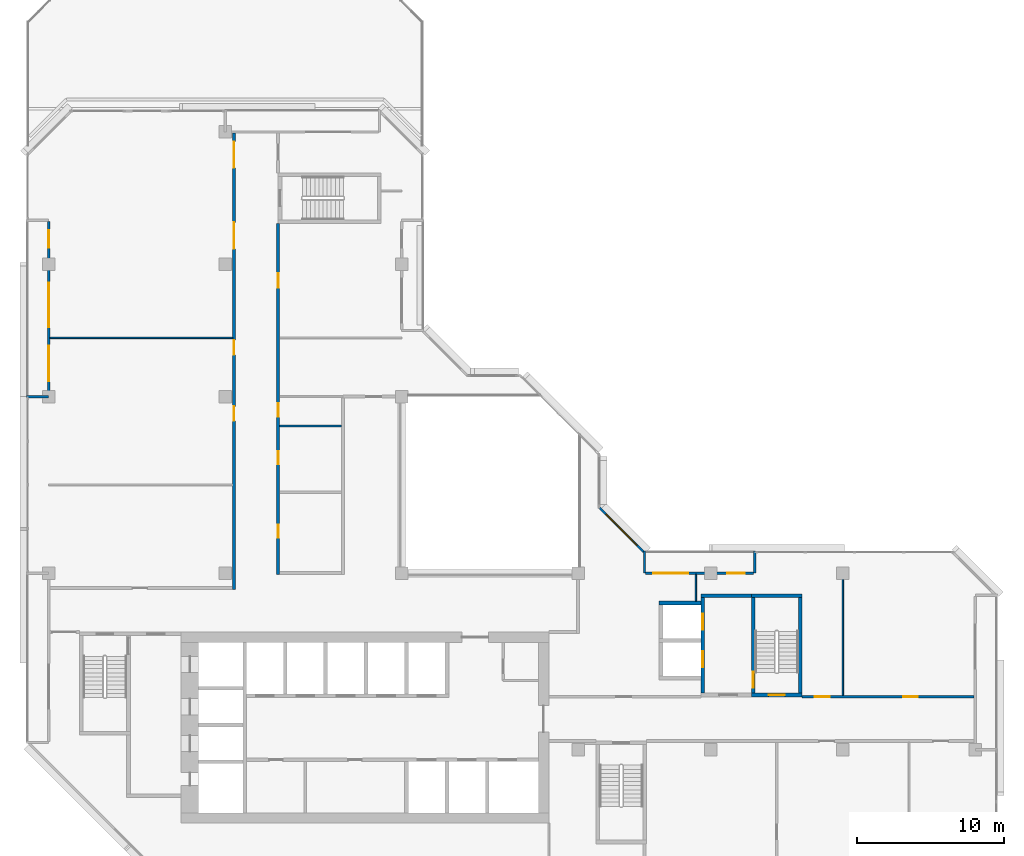
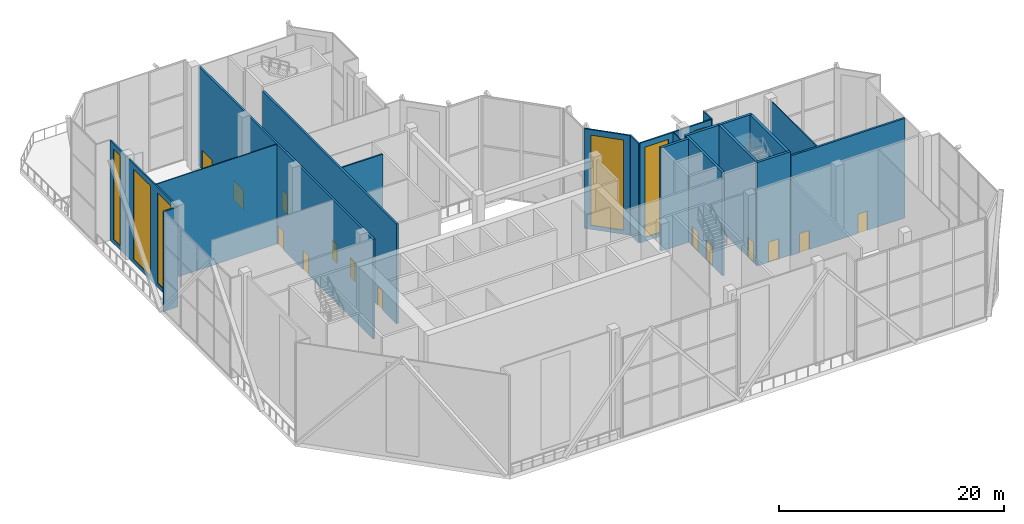
# One storey, part 12 of 18: 20 walls, 14 doors, 6 windows, 20 openings.
"""IFC4 building model written with IfcOpenShell, lengths in metres."""

from ifc_helpers import new_model, si_unit, direction, frame, frame_2d, origin, place, context, subcontext, project, spatial, rectangle, extrude, material, layer, layer_set, type_object, element, fill, save


model = new_model("IFC4")

# Units and contexts
model_context = context("Model", 3, precision=1e-05, world=origin(), true_north=direction((0.0, 1.0)))
body_context = subcontext(model_context, "Body", "Model", "MODEL_VIEW")
ifc_project = project(units=[si_unit("LENGTHUNIT", "METRE"), si_unit("AREAUNIT", "SQUARE_METRE"), si_unit("VOLUMEUNIT", "CUBIC_METRE"), si_unit("PLANEANGLEUNIT", "RADIAN"), si_unit("MASSUNIT", "GRAM", prefix="KILO")], contexts=[model_context])

# Site, building, storey
site_placement = place(None, origin())
site = spatial("IfcSite", under=ifc_project, at=site_placement, CompositionType="ELEMENT")
building_placement = place(site_placement, origin())
building = spatial("IfcBuilding", under=site, at=building_placement, Name="Chenar Terraces", CompositionType="ELEMENT")
storey_placement = place(building_placement, frame((0.0, 0.0, 262.14990234375)))
storey = spatial("IfcBuildingStorey", under=building, at=storey_placement, Name="L62", CompositionType="ELEMENT", Elevation=262.14990234375)

# Wall, opening, door
ifc_material_1 = material(Name="Concrete C60/75", Category="concrete")
ifc_layer_1 = layer(ifc_material_1, 0.25)
ifc_layer_set_1 = layer_set([ifc_layer_1], Name="Concrete C60/75")
wall_type_1 = type_object("IfcWallType", Name="Core wall 250 Concrete C60/75", PredefinedType="SHEAR", material=ifc_layer_set_1)
wall_1_placement = place(storey_placement, frame((47.77490234375, 15.72509765625, 0.0), z_axis=(0.0, 0.0, 1.0), x_axis=(1.0, 0.0, 0.0)))
wall_1 = element("IfcWall", 1, at=wall_1_placement, inside=storey, type_object=wall_type_1, Name="Core wall ST3_S L62", PredefinedType="SHEAR", context=body_context, shape_type="SweptSolid", body=[
    extrude(rectangle(XDim=3.4501953125, YDim=0.25, at=frame_2d((1.72509765625, 0.0))), origin(), (0.0, 0.0, 1.0), 11.25),
])
opening_1_placement = place(wall_1_placement, frame((1.175048828125, 0.0, 0.0)))
opening_1 = element("IfcOpeningElement", 2, at=opening_1_placement, cuts=wall_1, Name="Opening DL62-C8", PredefinedType="OPENING", context=body_context, shape_type="SweptSolid", body=[
    extrude(rectangle(XDim=1.10009765625, YDim=2.199951171875, at=frame_2d((0.550048828125, 1.10009765625))), frame((0.0, 0.135009765625, 0.0), z_axis=(0.0, -1.0, 0.0), x_axis=(1.0, 0.0, 0.0)), (0.0, 0.0, 1.0), 0.27001953125),
])
ifc_material_2 = material(Name="Steel-framed fire-resisting door leaf", Category="steel")
door_type_1 = type_object("IfcDoorType", Name="Stair fire door FD60 1100 x 2200", OperationType="SINGLE_SWING_LEFT", PredefinedType="DOOR", material=ifc_material_2)
door_1_placement = place(opening_1_placement, frame((1.10009765625, 0.0, 0.0), z_axis=(0.0, 0.0, 1.0), x_axis=(-1.0, 0.0, 0.0)))
door_1 = element("IfcDoor", 3, at=door_1_placement, inside=storey, type_object=door_type_1, Name="Stair door DL62-C8", OperationType="SINGLE_SWING_LEFT", OverallHeight=2.199951171875, OverallWidth=1.10009765625, PredefinedType="DOOR", context=body_context, shape_type="SweptSolid", body=[
    extrude(rectangle(XDim=1.10009765625, YDim=2.199951171875, at=frame_2d((0.550048828125, 1.10009765625))), frame((0.0, 0.02490234375, 0.0), z_axis=(0.0, -1.0, 0.0), x_axis=(1.0, 0.0, 0.0)), (0.0, 0.0, 1.0), 0.050048828125),
])
fill(opening_1, door_1)

# Wall
wall_2_placement = place(storey_placement, frame((47.77490234375, 22.47509765625, 0.0), z_axis=(0.0, 0.0, 1.0), x_axis=(1.0, 0.0, 0.0)))
element("IfcWall", 4, at=wall_2_placement, inside=storey, type_object=wall_type_1, Name="Core wall ST3_N L62", PredefinedType="SHEAR", context=body_context, shape_type="SweptSolid", body=[
    extrude(rectangle(XDim=3.4501953125, YDim=0.25, at=frame_2d((1.72509765625, 0.0))), origin(), (0.0, 0.0, 1.0), 11.25),
])

# Wall, opening, door
wall_3_placement = place(storey_placement, frame((47.89990234375, 15.85009765625, 0.0), z_axis=(0.0, 0.0, 1.0), x_axis=(0.0, 1.0, 0.0)))
wall_3 = element("IfcWall", 5, at=wall_3_placement, inside=storey, type_object=wall_type_1, Name="Core wall ST3_W L62", PredefinedType="SHEAR", context=body_context, shape_type="SweptSolid", body=[
    extrude(rectangle(XDim=6.5, YDim=0.25, at=frame_2d((3.25, 0.0))), origin(), (0.0, 0.0, 1.0), 11.25),
])
opening_2_placement = place(wall_3_placement, frame((0.35009765625, 0.0, 0.0)))
opening_2 = element("IfcOpeningElement", 6, at=opening_2_placement, cuts=wall_3, Name="Opening DL62-C11", PredefinedType="OPENING", context=body_context, shape_type="SweptSolid", body=[
    extrude(rectangle(XDim=1.10009765625, YDim=2.199951171875, at=frame_2d((0.550048828125, 1.10009765625))), frame((0.0, 0.135009765625, 0.0), z_axis=(0.0, -1.0, 0.0), x_axis=(1.0, 0.0, 0.0)), (0.0, 0.0, 1.0), 0.27001953125),
])
door_2_placement = place(opening_2_placement, frame((1.10009765625, 0.0, 0.0), z_axis=(0.0, 0.0, 1.0), x_axis=(-1.0, 0.0, 0.0)))
door_2 = element("IfcDoor", 7, at=door_2_placement, inside=storey, type_object=door_type_1, Name="Stair door DL62-C11", OperationType="SINGLE_SWING_RIGHT", OverallHeight=2.199951171875, OverallWidth=1.10009765625, PredefinedType="DOOR", context=body_context, shape_type="SweptSolid", body=[
    extrude(rectangle(XDim=1.10009765625, YDim=2.199951171875, at=frame_2d((0.550048828125, 1.10009765625))), frame((0.0, 0.02490234375, 0.0), z_axis=(0.0, -1.0, 0.0), x_axis=(1.0, 0.0, 0.0)), (0.0, 0.0, 1.0), 0.050048828125),
])
fill(opening_2, door_2)

# Walls
wall_4_placement = place(storey_placement, frame((51.10009765625, 15.85009765625, 0.0), z_axis=(0.0, 0.0, 1.0), x_axis=(0.0, 1.0, 0.0)))
element("IfcWall", 8, at=wall_4_placement, inside=storey, type_object=wall_type_1, Name="Core wall ST3_E L62", PredefinedType="SHEAR", context=body_context, shape_type="SweptSolid", body=[
    extrude(rectangle(XDim=6.5, YDim=0.25, at=frame_2d((3.25, 0.0))), origin(), (0.0, 0.0, 1.0), 11.25),
])
wall_5_placement = place(storey_placement, frame((44.35009765625, 22.47509765625, 0.0), z_axis=(0.0, 0.0, 1.0), x_axis=(1.0, 0.0, 0.0)))
element("IfcWall", 9, at=wall_5_placement, inside=storey, type_object=wall_type_1, Name="Core wall F3_LN L62", PredefinedType="SHEAR", context=body_context, shape_type="SweptSolid", body=[
    extrude(rectangle(XDim=3.4248046875, YDim=0.25, at=frame_2d((1.71240234375, 0.0))), origin(), (0.0, 0.0, 1.0), 11.25),
])

# Wall, openings, doors
wall_6_placement = place(storey_placement, frame((44.47509765625, 15.85009765625, 0.0), z_axis=(0.0, 0.0, 1.0), x_axis=(0.0, 1.0, 0.0)))
wall_6 = element("IfcWall", 10, at=wall_6_placement, inside=storey, type_object=wall_type_1, Name="Core wall F3_LW L62", PredefinedType="SHEAR", context=body_context, shape_type="SweptSolid", body=[
    extrude(rectangle(XDim=6.5, YDim=0.25, at=frame_2d((3.25, 0.0))), origin(), (0.0, 0.0, 1.0), 11.25),
])
opening_3_placement = place(wall_6_placement, frame((1.75, 0.0, 0.0)))
opening_3 = element("IfcOpeningElement", 11, at=opening_3_placement, cuts=wall_6, Name="Opening DL62-LD12", PredefinedType="OPENING", context=body_context, shape_type="SweptSolid", body=[
    extrude(rectangle(XDim=1.10009765625, YDim=2.199951171875, at=frame_2d((0.550048828125, 1.10009765625))), frame((0.0, 0.135009765625, 0.0), z_axis=(0.0, -1.0, 0.0), x_axis=(1.0, 0.0, 0.0)), (0.0, 0.0, 1.0), 0.27001953125),
])
opening_4_placement = place(wall_6_placement, frame((4.300048828125, 0.0, 0.0)))
opening_4 = element("IfcOpeningElement", 12, at=opening_4_placement, cuts=wall_6, Name="Opening DL62-LD13", PredefinedType="OPENING", context=body_context, shape_type="SweptSolid", body=[
    extrude(rectangle(XDim=1.10009765625, YDim=2.199951171875, at=frame_2d((0.550048828125, 1.10009765625))), frame((0.0, 0.135009765625, 0.0), z_axis=(0.0, -1.0, 0.0), x_axis=(1.0, 0.0, 0.0)), (0.0, 0.0, 1.0), 0.27001953125),
])
ifc_material_3 = material(Name="Stainless steel", Category="steel")
door_type_2 = type_object("IfcDoorType", Name="Lift landing door 1100 x 2200 sliding", OperationType="DOUBLE_DOOR_SLIDING", PredefinedType="DOOR", material=ifc_material_3)
door_3_placement = place(opening_3_placement, origin())
door_3 = element("IfcDoor", 13, at=door_3_placement, inside=storey, type_object=door_type_2, Name="Landing door F3", OperationType="DOUBLE_DOOR_SLIDING", OverallHeight=2.199951171875, OverallWidth=1.10009765625, PredefinedType="DOOR", context=body_context, shape_type="SweptSolid", body=[
    extrude(rectangle(XDim=1.10009765625, YDim=2.199951171875, at=frame_2d((0.550048828125, 1.10009765625))), frame((0.0, 0.02490234375, 0.0), z_axis=(0.0, -1.0, 0.0), x_axis=(1.0, 0.0, 0.0)), (0.0, 0.0, 1.0), 0.050048828125),
])
fill(opening_3, door_3)
door_4_placement = place(opening_4_placement, origin())
door_4 = element("IfcDoor", 14, at=door_4_placement, inside=storey, type_object=door_type_2, Name="Landing door F4", OperationType="DOUBLE_DOOR_SLIDING", OverallHeight=2.199951171875, OverallWidth=1.10009765625, PredefinedType="DOOR", context=body_context, shape_type="SweptSolid", body=[
    extrude(rectangle(XDim=1.10009765625, YDim=2.199951171875, at=frame_2d((0.550048828125, 1.10009765625))), frame((0.0, 0.02490234375, 0.0), z_axis=(0.0, -1.0, 0.0), x_axis=(1.0, 0.0, 0.0)), (0.0, 0.0, 1.0), 0.050048828125),
])
fill(opening_4, door_4)

# Wall
wall_7_placement = place(storey_placement, frame((41.5, 21.97509765625, 0.0), z_axis=(0.0, 0.0, 1.0), x_axis=(1.0, 0.0, 0.0)))
element("IfcWall", 15, at=wall_7_placement, inside=storey, type_object=wall_type_1, Name="Core wall F4_SN L62", PredefinedType="SHEAR", context=body_context, shape_type="SweptSolid", body=[
    extrude(rectangle(XDim=2.85009765625, YDim=0.25, at=frame_2d((1.425048828125, 0.0))), origin(), (0.0, 0.0, 1.0), 11.25),
])

# Wall, openings, doors
ifc_material_4 = material(Name="Gypsum board on steel studs with fire boards", Category="steel")
ifc_layer_2 = layer(ifc_material_4, 0.199951171875)
ifc_layer_set_2 = layer_set([ifc_layer_2], Name="Gypsum board on steel studs with fire boards")
wall_type_2 = type_object("IfcWallType", Name="Corridor wall 200", PredefinedType="PARTITIONING", material=ifc_layer_set_2)
wall_8_placement = place(storey_placement, frame((12.60009765625, 22.89990234375, 0.0), z_axis=(0.0, 0.0, 1.0), x_axis=(0.0, 1.0, 0.0)))
wall_8 = element("IfcWall", 16, at=wall_8_placement, inside=storey, type_object=wall_type_2, Name="Partition L62-005", PredefinedType="PARTITIONING", context=body_context, shape_type="SweptSolid", body=[
    extrude(rectangle(XDim=31.026123046875, YDim=0.199951171875, at=frame_2d((15.51318359375, 0.0))), origin(), (0.0, 0.0, 1.0), 10.85009765625),
])
opening_5_placement = place(wall_8_placement, frame((11.449951171875, 0.0, 0.0)))
opening_5 = element("IfcOpeningElement", 17, at=opening_5_placement, cuts=wall_8, Name="Opening DL62-12", PredefinedType="OPENING", context=body_context, shape_type="SweptSolid", body=[
    extrude(rectangle(XDim=1.0, YDim=2.10009765625, at=frame_2d((0.5, 1.050048828125))), frame((0.0, 0.10986328125, 0.0), z_axis=(0.0, -1.0, 0.0), x_axis=(1.0, 0.0, 0.0)), (0.0, 0.0, 1.0), 0.219970703125),
])
opening_6_placement = place(wall_8_placement, frame((15.949951171875, 0.0, 0.0)))
opening_6 = element("IfcOpeningElement", 18, at=opening_6_placement, cuts=wall_8, Name="Opening DL62-13", PredefinedType="OPENING", context=body_context, shape_type="SweptSolid", body=[
    extrude(rectangle(XDim=1.0, YDim=2.10009765625, at=frame_2d((0.5, 1.050048828125))), frame((0.0, 0.10986328125, 0.0), z_axis=(0.0, -1.0, 0.0), x_axis=(1.0, 0.0, 0.0)), (0.0, 0.0, 1.0), 0.219970703125),
])
opening_7_placement = place(wall_8_placement, frame((23.14990234375, 0.0, 0.0)))
opening_7 = element("IfcOpeningElement", 19, at=opening_7_placement, cuts=wall_8, Name="Opening DL62-14", PredefinedType="OPENING", context=body_context, shape_type="SweptSolid", body=[
    extrude(rectangle(XDim=1.800048828125, YDim=2.10009765625, at=frame_2d((0.89990234375, 1.050048828125))), frame((0.0, 0.10986328125, 0.0), z_axis=(0.0, -1.0, 0.0), x_axis=(1.0, 0.0, 0.0)), (0.0, 0.0, 1.0), 0.219970703125),
])
opening_8_placement = place(wall_8_placement, frame((28.64990234375, 0.0, 0.0)))
opening_8 = element("IfcOpeningElement", 20, at=opening_8_placement, cuts=wall_8, Name="Opening DL62-15", PredefinedType="OPENING", context=body_context, shape_type="SweptSolid", body=[
    extrude(rectangle(XDim=1.800048828125, YDim=2.10009765625, at=frame_2d((0.89990234375, 1.050048828125))), frame((0.0, 0.10986328125, 0.0), z_axis=(0.0, -1.0, 0.0), x_axis=(1.0, 0.0, 0.0)), (0.0, 0.0, 1.0), 0.219970703125),
])
ifc_material_5 = material(Name="Steel-framed fire-resisting door leaf", Category="steel")
door_type_3 = type_object("IfcDoorType", Name="Fire door FD60 1000 x 2100", OperationType="SINGLE_SWING_LEFT", PredefinedType="DOOR", material=ifc_material_5)
door_5_placement = place(opening_5_placement, origin())
door_5 = element("IfcDoor", 21, at=door_5_placement, inside=storey, type_object=door_type_3, Name="Door DL62-12", OperationType="SINGLE_SWING_RIGHT", OverallHeight=2.10009765625, OverallWidth=1.0, PredefinedType="DOOR", context=body_context, shape_type="SweptSolid", body=[
    extrude(rectangle(XDim=1.0, YDim=2.10009765625, at=frame_2d((0.5, 1.050048828125))), frame((0.0, 0.02490234375, 0.0), z_axis=(0.0, -1.0, 0.0), x_axis=(1.0, 0.0, 0.0)), (0.0, 0.0, 1.0), 0.050048828125),
])
fill(opening_5, door_5)
door_6_placement = place(opening_6_placement, origin())
door_6 = element("IfcDoor", 22, at=door_6_placement, inside=storey, type_object=door_type_3, Name="Door DL62-13", OperationType="SINGLE_SWING_RIGHT", OverallHeight=2.10009765625, OverallWidth=1.0, PredefinedType="DOOR", context=body_context, shape_type="SweptSolid", body=[
    extrude(rectangle(XDim=1.0, YDim=2.10009765625, at=frame_2d((0.5, 1.050048828125))), frame((0.0, 0.02490234375, 0.0), z_axis=(0.0, -1.0, 0.0), x_axis=(1.0, 0.0, 0.0)), (0.0, 0.0, 1.0), 0.050048828125),
])
fill(opening_6, door_6)
ifc_material_6 = material(Name="Steel-framed fire-resisting door leaf", Category="steel")
door_type_4 = type_object("IfcDoorType", Name="Fire double door FD60 1800 x 2100", OperationType="DOUBLE_DOOR_SINGLE_SWING", PredefinedType="DOOR", material=ifc_material_6)
door_7_placement = place(opening_7_placement, origin())
door_7 = element("IfcDoor", 23, at=door_7_placement, inside=storey, type_object=door_type_4, Name="Door DL62-14", OperationType="DOUBLE_DOOR_SINGLE_SWING", OverallHeight=2.10009765625, OverallWidth=1.800048828125, PredefinedType="DOOR", context=body_context, shape_type="SweptSolid", body=[
    extrude(rectangle(XDim=1.800048828125, YDim=2.10009765625, at=frame_2d((0.89990234375, 1.050048828125))), frame((0.0, 0.02490234375, 0.0), z_axis=(0.0, -1.0, 0.0), x_axis=(1.0, 0.0, 0.0)), (0.0, 0.0, 1.0), 0.050048828125),
])
fill(opening_7, door_7)
door_8_placement = place(opening_8_placement, origin())
door_8 = element("IfcDoor", 24, at=door_8_placement, inside=storey, type_object=door_type_4, Name="Door DL62-15", OperationType="DOUBLE_DOOR_SINGLE_SWING", OverallHeight=2.10009765625, OverallWidth=1.800048828125, PredefinedType="DOOR", context=body_context, shape_type="SweptSolid", body=[
    extrude(rectangle(XDim=1.800048828125, YDim=2.10009765625, at=frame_2d((0.89990234375, 1.050048828125))), frame((0.0, 0.02490234375, 0.0), z_axis=(0.0, -1.0, 0.0), x_axis=(1.0, 0.0, 0.0)), (0.0, 0.0, 1.0), 0.050048828125),
])
fill(opening_8, door_8)

wall_9_placement = place(storey_placement, frame((15.60009765625, 23.89990234375, 0.0), z_axis=(0.0, 0.0, 1.0), x_axis=(0.0, 1.0, 0.0)))
wall_9 = element("IfcWall", 25, at=wall_9_placement, inside=storey, type_object=wall_type_2, Name="Partition L62-006", PredefinedType="PARTITIONING", context=body_context, shape_type="SweptSolid", body=[
    extrude(rectangle(XDim=23.875, YDim=0.199951171875, at=frame_2d((11.9375, 0.0))), origin(), (0.0, 0.0, 1.0), 10.85009765625),
])
opening_9_placement = place(wall_9_placement, frame((19.5, 0.0, 0.0)))
opening_9 = element("IfcOpeningElement", 26, at=opening_9_placement, cuts=wall_9, Name="Opening DL62-9", PredefinedType="OPENING", context=body_context, shape_type="SweptSolid", body=[
    extrude(rectangle(XDim=1.0, YDim=2.10009765625, at=frame_2d((0.5, 1.050048828125))), frame((0.0, 0.10986328125, 0.0), z_axis=(0.0, -1.0, 0.0), x_axis=(1.0, 0.0, 0.0)), (0.0, 0.0, 1.0), 0.219970703125),
])
opening_10_placement = place(wall_9_placement, frame((10.75, 0.0, 0.0)))
opening_10 = element("IfcOpeningElement", 27, at=opening_10_placement, cuts=wall_9, Name="Opening DL62-17", PredefinedType="OPENING", context=body_context, shape_type="SweptSolid", body=[
    extrude(rectangle(XDim=0.89990234375, YDim=2.10009765625, at=frame_2d((0.449951171875, 1.050048828125))), frame((0.0, 0.10986328125, 0.0), z_axis=(0.0, -1.0, 0.0), x_axis=(1.0, 0.0, 0.0)), (0.0, 0.0, 1.0), 0.219970703125),
])
opening_11_placement = place(wall_9_placement, frame((7.5, 0.0, 0.0)))
opening_11 = element("IfcOpeningElement", 28, at=opening_11_placement, cuts=wall_9, Name="Opening DL62-18", PredefinedType="OPENING", context=body_context, shape_type="SweptSolid", body=[
    extrude(rectangle(XDim=0.89990234375, YDim=2.10009765625, at=frame_2d((0.449951171875, 1.050048828125))), frame((0.0, 0.10986328125, 0.0), z_axis=(0.0, -1.0, 0.0), x_axis=(1.0, 0.0, 0.0)), (0.0, 0.0, 1.0), 0.219970703125),
])
opening_12_placement = place(wall_9_placement, frame((2.5, 0.0, 0.0)))
opening_12 = element("IfcOpeningElement", 29, at=opening_12_placement, cuts=wall_9, Name="Opening DL62-19", PredefinedType="OPENING", context=body_context, shape_type="SweptSolid", body=[
    extrude(rectangle(XDim=0.89990234375, YDim=2.10009765625, at=frame_2d((0.449951171875, 1.050048828125))), frame((0.0, 0.10986328125, 0.0), z_axis=(0.0, -1.0, 0.0), x_axis=(1.0, 0.0, 0.0)), (0.0, 0.0, 1.0), 0.219970703125),
])
door_9_placement = place(opening_9_placement, frame((1.0, 0.0, 0.0), z_axis=(0.0, 0.0, 1.0), x_axis=(-1.0, 0.0, 0.0)))
door_9 = element("IfcDoor", 30, at=door_9_placement, inside=storey, type_object=door_type_3, Name="Door DL62-9", OperationType="SINGLE_SWING_RIGHT", OverallHeight=2.10009765625, OverallWidth=1.0, PredefinedType="DOOR", context=body_context, shape_type="SweptSolid", body=[
    extrude(rectangle(XDim=1.0, YDim=2.10009765625, at=frame_2d((0.5, 1.050048828125))), frame((0.0, 0.02490234375, 0.0), z_axis=(0.0, -1.0, 0.0), x_axis=(1.0, 0.0, 0.0)), (0.0, 0.0, 1.0), 0.050048828125),
])
fill(opening_9, door_9)
ifc_material_7 = material(Name="Steel-framed fire-resisting door leaf", Category="steel")
door_type_5 = type_object("IfcDoorType", Name="Fire door FD60 900 x 2100", OperationType="SINGLE_SWING_LEFT", PredefinedType="DOOR", material=ifc_material_7)
door_10_placement = place(opening_10_placement, frame((0.89990234375, 0.0, 0.0), z_axis=(0.0, 0.0, 1.0), x_axis=(-1.0, 0.0, 0.0)))
door_10 = element("IfcDoor", 31, at=door_10_placement, inside=storey, type_object=door_type_5, Name="Door DL62-17", OperationType="SINGLE_SWING_LEFT", OverallHeight=2.10009765625, OverallWidth=0.89990234375, PredefinedType="DOOR", context=body_context, shape_type="SweptSolid", body=[
    extrude(rectangle(XDim=0.89990234375, YDim=2.10009765625, at=frame_2d((0.449951171875, 1.050048828125))), frame((0.0, 0.02490234375, 0.0), z_axis=(0.0, -1.0, 0.0), x_axis=(1.0, 0.0, 0.0)), (0.0, 0.0, 1.0), 0.050048828125),
])
fill(opening_10, door_10)
door_11_placement = place(opening_11_placement, frame((0.89990234375, 0.0, 0.0), z_axis=(0.0, 0.0, 1.0), x_axis=(-1.0, 0.0, 0.0)))
door_11 = element("IfcDoor", 32, at=door_11_placement, inside=storey, type_object=door_type_5, Name="Door DL62-18", OperationType="SINGLE_SWING_RIGHT", OverallHeight=2.10009765625, OverallWidth=0.89990234375, PredefinedType="DOOR", context=body_context, shape_type="SweptSolid", body=[
    extrude(rectangle(XDim=0.89990234375, YDim=2.10009765625, at=frame_2d((0.449951171875, 1.050048828125))), frame((0.0, 0.02490234375, 0.0), z_axis=(0.0, -1.0, 0.0), x_axis=(1.0, 0.0, 0.0)), (0.0, 0.0, 1.0), 0.050048828125),
])
fill(opening_11, door_11)
door_12_placement = place(opening_12_placement, frame((0.89990234375, 0.0, 0.0), z_axis=(0.0, 0.0, 1.0), x_axis=(-1.0, 0.0, 0.0)))
door_12 = element("IfcDoor", 33, at=door_12_placement, inside=storey, type_object=door_type_5, Name="Door DL62-19", OperationType="SINGLE_SWING_RIGHT", OverallHeight=2.10009765625, OverallWidth=0.89990234375, PredefinedType="DOOR", context=body_context, shape_type="SweptSolid", body=[
    extrude(rectangle(XDim=0.89990234375, YDim=2.10009765625, at=frame_2d((0.449951171875, 1.050048828125))), frame((0.0, 0.02490234375, 0.0), z_axis=(0.0, -1.0, 0.0), x_axis=(1.0, 0.0, 0.0)), (0.0, 0.0, 1.0), 0.050048828125),
])
fill(opening_12, door_12)

wall_10_placement = place(storey_placement, frame((51.22509765625, 15.60009765625, 0.0), z_axis=(0.0, 0.0, 1.0), x_axis=(1.0, 0.0, 0.0)))
wall_10 = element("IfcWall", 34, at=wall_10_placement, inside=storey, type_object=wall_type_2, Name="Partition L62-025", PredefinedType="PARTITIONING", context=body_context, shape_type="SweptSolid", body=[
    extrude(rectangle(XDim=11.700927734375, YDim=0.199951171875, at=frame_2d((5.8505859375, 0.0))), origin(), (0.0, 0.0, 1.0), 10.85009765625),
])
opening_13_placement = place(wall_10_placement, frame((0.875, 0.0, 0.0)))
opening_13 = element("IfcOpeningElement", 35, at=opening_13_placement, cuts=wall_10, Name="Opening DL62-2", PredefinedType="OPENING", context=body_context, shape_type="SweptSolid", body=[
    extrude(rectangle(XDim=1.0, YDim=2.10009765625, at=frame_2d((0.5, 1.050048828125))), frame((0.0, 0.10986328125, 0.0), z_axis=(0.0, -1.0, 0.0), x_axis=(1.0, 0.0, 0.0)), (0.0, 0.0, 1.0), 0.219970703125),
])
opening_14_placement = place(wall_10_placement, frame((6.875, 0.0, 0.0)))
opening_14 = element("IfcOpeningElement", 36, at=opening_14_placement, cuts=wall_10, Name="Opening DL62-3", PredefinedType="OPENING", context=body_context, shape_type="SweptSolid", body=[
    extrude(rectangle(XDim=1.0, YDim=2.10009765625, at=frame_2d((0.5, 1.050048828125))), frame((0.0, 0.10986328125, 0.0), z_axis=(0.0, -1.0, 0.0), x_axis=(1.0, 0.0, 0.0)), (0.0, 0.0, 1.0), 0.219970703125),
])
door_13_placement = place(opening_13_placement, origin())
door_13 = element("IfcDoor", 37, at=door_13_placement, inside=storey, type_object=door_type_3, Name="Door DL62-2", OperationType="SINGLE_SWING_LEFT", OverallHeight=2.10009765625, OverallWidth=1.0, PredefinedType="DOOR", context=body_context, shape_type="SweptSolid", body=[
    extrude(rectangle(XDim=1.0, YDim=2.10009765625, at=frame_2d((0.5, 1.050048828125))), frame((0.0, 0.02490234375, 0.0), z_axis=(0.0, -1.0, 0.0), x_axis=(1.0, 0.0, 0.0)), (0.0, 0.0, 1.0), 0.050048828125),
])
fill(opening_13, door_13)
door_14_placement = place(opening_14_placement, origin())
door_14 = element("IfcDoor", 38, at=door_14_placement, inside=storey, type_object=door_type_3, Name="Door DL62-3", OperationType="SINGLE_SWING_LEFT", OverallHeight=2.10009765625, OverallWidth=1.0, PredefinedType="DOOR", context=body_context, shape_type="SweptSolid", body=[
    extrude(rectangle(XDim=1.0, YDim=2.10009765625, at=frame_2d((0.5, 1.050048828125))), frame((0.0, 0.02490234375, 0.0), z_axis=(0.0, -1.0, 0.0), x_axis=(1.0, 0.0, 0.0)), (0.0, 0.0, 1.0), 0.050048828125),
])
fill(opening_14, door_14)

# Wall, openings, windows
ifc_material_8 = material(Name="Aluminium framed glazing", Category="aluminium")
ifc_layer_3 = layer(ifc_material_8, 0.14990234375)
ifc_layer_set_3 = layer_set([ifc_layer_3], Name="Aluminium framed glazing")
wall_type_3 = type_object("IfcWallType", Name="Glazed loggia back wall 150", PredefinedType="SOLIDWALL", material=ifc_layer_set_3)
wall_11_placement = place(storey_placement, frame((47.925048828125, 24.0, 0.0), z_axis=(0.0, 0.0, 1.0), x_axis=(-1.0, 0.0, 0.0)))
wall_11 = element("IfcWall", 39, at=wall_11_placement, inside=storey, type_object=wall_type_3, Name="Glazed loggia back wall", PredefinedType="SOLIDWALL", context=body_context, shape_type="SweptSolid", body=[
    extrude(rectangle(XDim=7.35009765625, YDim=0.14990234375, at=frame_2d((3.675048828125, 0.0))), origin(), (0.0, 0.0, 1.0), 10.85009765625),
])
opening_15_placement = place(wall_11_placement, frame((0.60009765625, 0.0, 0.449951171875)))
opening_15 = element("IfcOpeningElement", 40, at=opening_15_placement, cuts=wall_11, Name="Opening W120x980", PredefinedType="OPENING", context=body_context, shape_type="SweptSolid", body=[
    extrude(rectangle(XDim=1.199951171875, YDim=9.800048828125, at=frame_2d((0.60009765625, 4.89990234375))), frame((0.0, 0.0849609375, 0.0), z_axis=(0.0, -1.0, 0.0), x_axis=(1.0, 0.0, 0.0)), (0.0, 0.0, 1.0), 0.169921875),
])
opening_16_placement = place(wall_11_placement, frame((4.4375, 0.0, 0.449951171875)))
opening_16 = element("IfcOpeningElement", 41, at=opening_16_placement, cuts=wall_11, Name="Opening W240x980", PredefinedType="OPENING", context=body_context, shape_type="SweptSolid", body=[
    extrude(rectangle(XDim=2.39990234375, YDim=9.800048828125, at=frame_2d((1.199951171875, 4.89990234375))), frame((0.0, 0.0849609375, 0.0), z_axis=(0.0, -1.0, 0.0), x_axis=(1.0, 0.0, 0.0)), (0.0, 0.0, 1.0), 0.169921875),
])
ifc_material_9 = material(Name="Low emissivity double glazing, aluminium frame", Category="aluminium")
window_type_1 = type_object("IfcWindowType", Name="Fixed light 1200 x 9800", PartitioningType="SINGLE_PANEL", PredefinedType="WINDOW", material=ifc_material_9)
window_1_placement = place(opening_15_placement, origin())
window_1 = element("IfcWindow", 42, at=window_1_placement, inside=storey, type_object=window_type_1, Name="Window", OverallHeight=9.800048828125, OverallWidth=1.199951171875, PartitioningType="SINGLE_PANEL", PredefinedType="WINDOW", context=body_context, shape_type="SweptSolid", body=[
    extrude(rectangle(XDim=1.199951171875, YDim=9.800048828125, at=frame_2d((0.60009765625, 4.89990234375))), frame((0.0, 0.030029296875, 0.0), z_axis=(0.0, -1.0, 0.0), x_axis=(1.0, 0.0, 0.0)), (0.0, 0.0, 1.0), 0.06005859375),
])
fill(opening_15, window_1)
ifc_material_10 = material(Name="Low emissivity double glazing, aluminium frame", Category="aluminium")
window_type_2 = type_object("IfcWindowType", Name="Fixed light 2400 x 9800", PartitioningType="SINGLE_PANEL", PredefinedType="WINDOW", material=ifc_material_10)
window_2_placement = place(opening_16_placement, origin())
window_2 = element("IfcWindow", 43, at=window_2_placement, inside=storey, type_object=window_type_2, Name="Window", OverallHeight=9.800048828125, OverallWidth=2.39990234375, PartitioningType="SINGLE_PANEL", PredefinedType="WINDOW", context=body_context, shape_type="SweptSolid", body=[
    extrude(rectangle(XDim=2.39990234375, YDim=9.800048828125, at=frame_2d((1.199951171875, 4.89990234375))), frame((0.0, 0.030029296875, 0.0), z_axis=(0.0, -1.0, 0.0), x_axis=(1.0, 0.0, 0.0)), (0.0, 0.0, 1.0), 0.06005859375),
])
fill(opening_16, window_2)

wall_12_placement = place(storey_placement, frame((0.0, 47.925048828125, 0.0), z_axis=(0.0, 0.0, 1.0), x_axis=(0.0, -1.0, 0.0)))
wall_12 = element("IfcWall", 44, at=wall_12_placement, inside=storey, type_object=wall_type_3, Name="Glazed loggia back wall", PredefinedType="SOLIDWALL", context=body_context, shape_type="SweptSolid", body=[
    extrude(rectangle(XDim=11.85009765625, YDim=0.14990234375, at=frame_2d((5.925048828125, 0.0))), origin(), (0.0, 0.0, 1.0), 10.85009765625),
])
opening_17_placement = place(wall_12_placement, frame((0.60009765625, 0.0, 0.449951171875)))
opening_17 = element("IfcOpeningElement", 45, at=opening_17_placement, cuts=wall_12, Name="Opening W120x980", PredefinedType="OPENING", context=body_context, shape_type="SweptSolid", body=[
    extrude(rectangle(XDim=1.199951171875, YDim=9.800048828125, at=frame_2d((0.60009765625, 4.89990234375))), frame((0.0, 0.0849609375, 0.0), z_axis=(0.0, -1.0, 0.0), x_axis=(1.0, 0.0, 0.0)), (0.0, 0.0, 1.0), 0.169921875),
])
opening_18_placement = place(wall_12_placement, frame((4.1875, 0.0, 0.449951171875)))
opening_18 = element("IfcOpeningElement", 46, at=opening_18_placement, cuts=wall_12, Name="Opening W300x980", PredefinedType="OPENING", context=body_context, shape_type="SweptSolid", body=[
    extrude(rectangle(XDim=3.0, YDim=9.800048828125, at=frame_2d((1.5, 4.89990234375))), frame((0.0, 0.0849609375, 0.0), z_axis=(0.0, -1.0, 0.0), x_axis=(1.0, 0.0, 0.0)), (0.0, 0.0, 1.0), 0.169921875),
])
opening_19_placement = place(wall_12_placement, frame((8.46240234375, 0.0, 0.449951171875)))
opening_19 = element("IfcOpeningElement", 47, at=opening_19_placement, cuts=wall_12, Name="Opening W240x980", PredefinedType="OPENING", context=body_context, shape_type="SweptSolid", body=[
    extrude(rectangle(XDim=2.39990234375, YDim=9.800048828125, at=frame_2d((1.199951171875, 4.89990234375))), frame((0.0, 0.0849609375, 0.0), z_axis=(0.0, -1.0, 0.0), x_axis=(1.0, 0.0, 0.0)), (0.0, 0.0, 1.0), 0.169921875),
])
window_3_placement = place(opening_17_placement, origin())
window_3 = element("IfcWindow", 48, at=window_3_placement, inside=storey, type_object=window_type_1, Name="Window", OverallHeight=9.800048828125, OverallWidth=1.199951171875, PartitioningType="SINGLE_PANEL", PredefinedType="WINDOW", context=body_context, shape_type="SweptSolid", body=[
    extrude(rectangle(XDim=1.199951171875, YDim=9.800048828125, at=frame_2d((0.60009765625, 4.89990234375))), frame((0.0, 0.030029296875, 0.0), z_axis=(0.0, -1.0, 0.0), x_axis=(1.0, 0.0, 0.0)), (0.0, 0.0, 1.0), 0.06005859375),
])
fill(opening_17, window_3)
window_4_placement = place(opening_19_placement, origin())
window_4 = element("IfcWindow", 49, at=window_4_placement, inside=storey, type_object=window_type_2, Name="Window", OverallHeight=9.800048828125, OverallWidth=2.39990234375, PartitioningType="SINGLE_PANEL", PredefinedType="WINDOW", context=body_context, shape_type="SweptSolid", body=[
    extrude(rectangle(XDim=2.39990234375, YDim=9.800048828125, at=frame_2d((1.199951171875, 4.89990234375))), frame((0.0, 0.030029296875, 0.0), z_axis=(0.0, -1.0, 0.0), x_axis=(1.0, 0.0, 0.0)), (0.0, 0.0, 1.0), 0.06005859375),
])
fill(opening_19, window_4)
ifc_material_11 = material(Name="Low emissivity double glazing, aluminium frame", Category="aluminium")
window_type_3 = type_object("IfcWindowType", Name="Fixed light 3000 x 9800", PartitioningType="SINGLE_PANEL", PredefinedType="WINDOW", material=ifc_material_11)
window_5_placement = place(opening_18_placement, origin())
window_5 = element("IfcWindow", 50, at=window_5_placement, inside=storey, type_object=window_type_3, Name="Window", OverallHeight=9.800048828125, OverallWidth=3.0, PartitioningType="SINGLE_PANEL", PredefinedType="WINDOW", context=body_context, shape_type="SweptSolid", body=[
    extrude(rectangle(XDim=3.0, YDim=9.800048828125, at=frame_2d((1.5, 4.89990234375))), frame((0.0, 0.030029296875, 0.0), z_axis=(0.0, -1.0, 0.0), x_axis=(1.0, 0.0, 0.0)), (0.0, 0.0, 1.0), 0.06005859375),
])
fill(opening_18, window_5)

# Walls
ifc_material_12 = material(Name="Gypsum board on steel studs", Category="steel")
ifc_layer_4 = layer(ifc_material_12, 0.10009765625)
ifc_layer_set_4 = layer_set([ifc_layer_4], Name="Gypsum board on steel studs")
wall_type_4 = type_object("IfcWallType", Name="Gypsum partition 100", PredefinedType="PARTITIONING", material=ifc_layer_set_4)
wall_13_placement = place(storey_placement, frame((0.073974609375, 40.0, 0.0), z_axis=(0.0, 0.0, 1.0), x_axis=(1.0, 0.0, 0.0)))
element("IfcWall", 51, at=wall_13_placement, inside=storey, type_object=wall_type_4, Name="Partition L62-004", PredefinedType="PARTITIONING", context=body_context, shape_type="SweptSolid", body=[
    extrude(rectangle(XDim=12.426025390625, YDim=0.10009765625, at=frame_2d((6.212890625, 0.0))), origin(), (0.0, 0.0, 1.0), 10.85009765625),
])
wall_14_placement = place(storey_placement, frame((44.0, 22.10009765625, 0.0), z_axis=(0.0, 0.0, 1.0), x_axis=(0.0, 1.0, 0.0)))
element("IfcWall", 52, at=wall_14_placement, inside=storey, type_object=wall_type_4, Name="Partition L62-023", PredefinedType="PARTITIONING", context=body_context, shape_type="SweptSolid", body=[
    extrude(rectangle(XDim=1.825927734375, YDim=0.10009765625, at=frame_2d((0.9130859375, 0.0))), origin(), (0.0, 0.0, 1.0), 10.85009765625),
])
wall_15_placement = place(storey_placement, frame((54.0, 15.699951171875, 0.0), z_axis=(0.0, 0.0, 1.0), x_axis=(0.0, 1.0, 0.0)))
element("IfcWall", 53, at=wall_15_placement, inside=storey, type_object=wall_type_4, Name="Partition L62-026", PredefinedType="PARTITIONING", context=body_context, shape_type="SweptSolid", body=[
    extrude(rectangle(XDim=8.300048828125, YDim=0.10009765625, at=frame_2d((4.14990234375, 0.0))), origin(), (0.0, 0.0, 1.0), 10.85009765625),
])
ifc_material_13 = material(Name="Terracotta cladding on insulated backing", Category="masonry")
ifc_layer_5 = layer(ifc_material_13, 0.14990234375)
ifc_layer_set_5 = layer_set([ifc_layer_5], Name="Terracotta cladding on insulated backing")
wall_type_5 = type_object("IfcWallType", Name="Loggia return wall 150", PredefinedType="SOLIDWALL", material=ifc_layer_set_5)
for number, where, z_axis, x_axis, name in (
    (54, (48.0, 25.5, 0.0), (0.0, 0.0, 1.0), (0.0, -1.0, 0.0), "Loggia return wall"),
    (55, (40.5, 25.5, 0.0), (0.0, 0.0, 1.0), (0.0, -1.0, 0.0), "Loggia return wall"),
    (56, (-1.5, 36.0, 0.0), (0.0, 0.0, 1.0), (1.0, 0.0, 0.0), "Loggia return wall"),
):
    element("IfcWall", number, at=place(storey_placement, frame(where, z_axis=z_axis, x_axis=x_axis)), inside=storey, type_object=wall_type_5, Name=name, PredefinedType="SOLIDWALL", context=body_context, shape_type="SweptSolid", body=[
        extrude(rectangle(XDim=1.5, YDim=0.14990234375, at=frame_2d((0.75, 0.0))), origin(), (0.0, 0.0, 1.0), 10.85009765625),
    ])

# Wall, opening, window
ifc_material_14 = material(Name="Terracotta cladding on insulated backing", Category="masonry")
ifc_layer_6 = layer(ifc_material_14, 0.14990234375)
ifc_layer_set_6 = layer_set([ifc_layer_6], Name="Terracotta cladding on insulated backing")
wall_type_6 = type_object("IfcWallType", Name="Terracotta rainscreen wall 150", PredefinedType="SOLIDWALL", material=ifc_layer_set_6)
wall_16_placement = place(storey_placement, frame((40.447021484375, 25.447021484375, 0.0), z_axis=(0.0, 0.0, 1.0), x_axis=(-0.707106781187, 0.707106781187, 0.0)))
wall_16 = element("IfcWall", 57, at=wall_16_placement, inside=storey, type_object=wall_type_6, Name="Terracotta rainscreen wall", PredefinedType="SOLIDWALL", context=body_context, shape_type="SweptSolid", body=[
    extrude(rectangle(XDim=4.24267578125, YDim=0.14990234375, at=frame_2d((2.121337890625, 0.0))), origin(), (0.0, 0.0, 1.0), 10.85009765625),
])
opening_20_placement = place(wall_16_placement, frame((0.621337890625, 0.0, 0.449951171875)))
opening_20 = element("IfcOpeningElement", 58, at=opening_20_placement, cuts=wall_16, Name="Opening W300x980", PredefinedType="OPENING", context=body_context, shape_type="SweptSolid", body=[
    extrude(rectangle(XDim=3.0, YDim=9.800048828125, at=frame_2d((1.5, 4.89990234375))), frame((0.0, 0.0849609375, 0.0), z_axis=(0.0, -1.0, 0.0), x_axis=(1.0, 0.0, 0.0)), (0.0, 0.0, 1.0), 0.169921875),
])
window_6_placement = place(opening_20_placement, origin())
window_6 = element("IfcWindow", 59, at=window_6_placement, inside=storey, type_object=window_type_3, Name="Window", OverallHeight=9.800048828125, OverallWidth=3.0, PartitioningType="SINGLE_PANEL", PredefinedType="WINDOW", context=body_context, shape_type="SweptSolid", body=[
    extrude(rectangle(XDim=3.0, YDim=9.800048828125, at=frame_2d((1.5, 4.89990234375))), frame((0.0, 0.030029296875, 0.0), z_axis=(0.0, -1.0, 0.0), x_axis=(1.0, 0.0, 0.0)), (0.0, 0.0, 1.0), 0.06005859375),
])
fill(opening_20, window_6)

# Wall
ifc_material_15 = material(Name="Moisture-resistant gypsum board on steel studs", Category="steel")
ifc_layer_7 = layer(ifc_material_15, 0.14990234375)
ifc_layer_set_7 = layer_set([ifc_layer_7], Name="Moisture-resistant gypsum board on steel studs")
wall_type_7 = type_object("IfcWallType", Name="Wet-room partition 150", PredefinedType="PARTITIONING", material=ifc_layer_set_7)
wall_17_placement = place(storey_placement, frame((15.699951171875, 34.0, 0.0), z_axis=(0.0, 0.0, 1.0), x_axis=(1.0, 0.0, 0.0)))
element("IfcWall", 60, at=wall_17_placement, inside=storey, type_object=wall_type_7, Name="Partition L62-010", PredefinedType="PARTITIONING", context=body_context, shape_type="SweptSolid", body=[
    extrude(rectangle(XDim=4.199951171875, YDim=0.14990234375, at=frame_2d((2.10009765625, 0.0))), origin(), (0.0, 0.0, 1.0), 10.85009765625),
])

save(model, "model.ifc")
